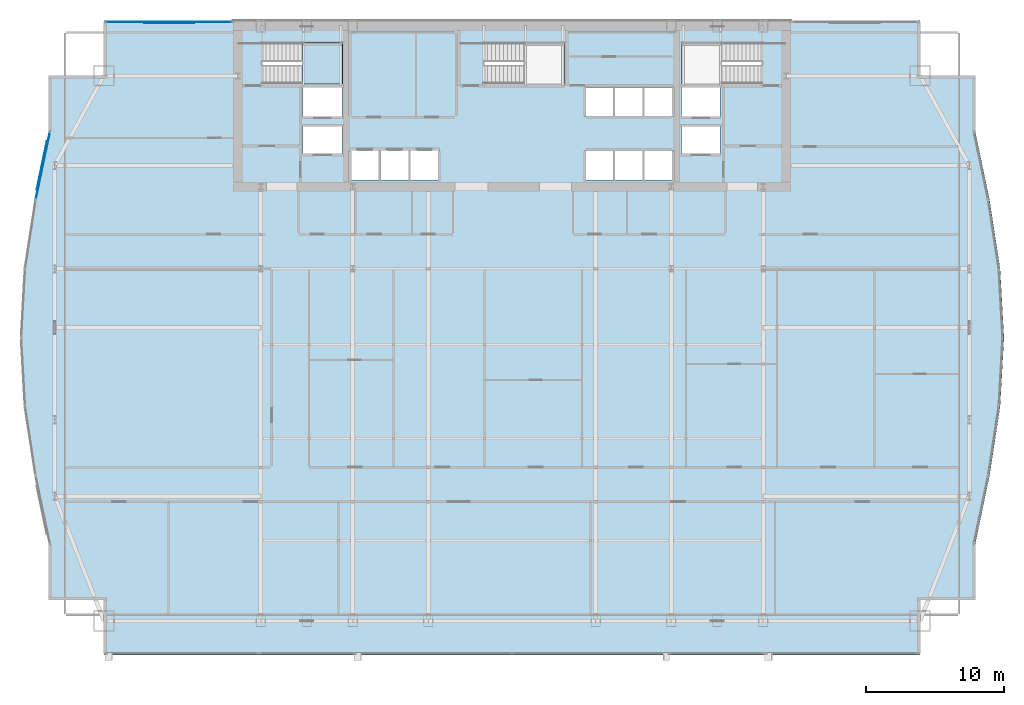
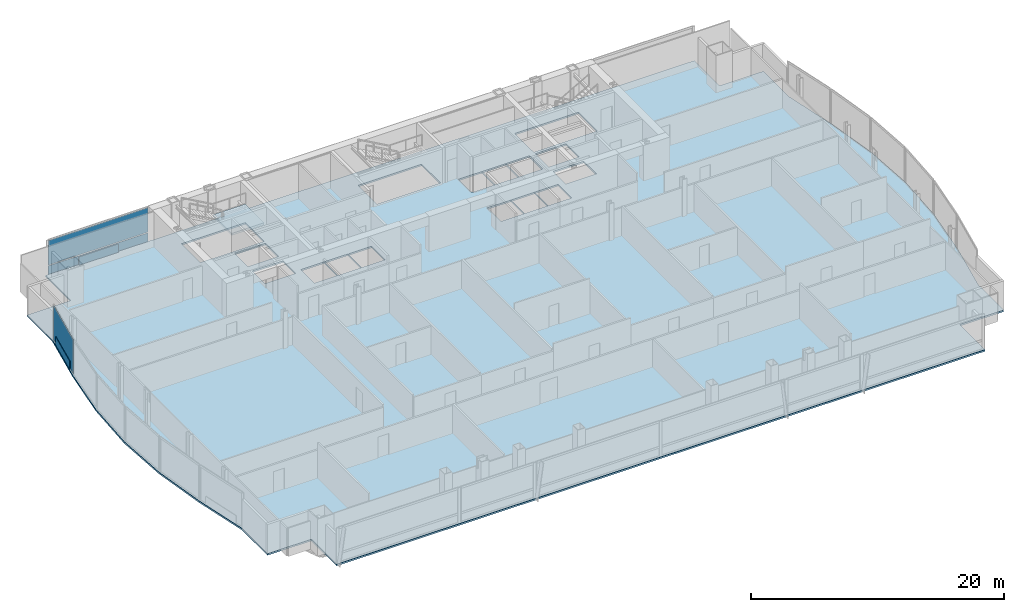
# One storey, part 26 of 33: 5 plates, 2 slabs, 3 elements without a shape of their own.
"""IFC4 building model written with IfcOpenShell, lengths in metres."""

from ifc_helpers import new_model, si_unit, direction, frame, origin, origin_2d, place, context, subcontext, project, spatial, polyline, rectangle, outline, extrude, material, layer, layer_set, type_object, element, aggregate, save


model = new_model("IFC4")

# Units and contexts
model_context = context("Model", 3, precision=1e-05, world=origin(), true_north=direction((0.0, 1.0)))
body_context = subcontext(model_context, "Body", "Model", "MODEL_VIEW")
ifc_project = project(units=[si_unit("LENGTHUNIT", "METRE"), si_unit("AREAUNIT", "SQUARE_METRE"), si_unit("VOLUMEUNIT", "CUBIC_METRE"), si_unit("PLANEANGLEUNIT", "RADIAN"), si_unit("MASSUNIT", "GRAM", prefix="KILO")], contexts=[model_context])

# Site, building, storey
site_placement = place(None, origin())
site = spatial("IfcSite", under=ifc_project, at=site_placement, CompositionType="ELEMENT")
building_placement = place(site_placement, origin())
building = spatial("IfcBuilding", under=site, at=building_placement, Name="Khoronbel Lancet Exchange", CompositionType="ELEMENT")
storey_placement = place(building_placement, frame((0.0, 0.0, 114.60009765625)))
storey = spatial("IfcBuildingStorey", under=building, at=storey_placement, Name="L27", CompositionType="ELEMENT", Elevation=114.60009765625)

# Curtain wall, plate
ifc_material_1 = material(Name="Low-E Solar Control Insulating Glass", Category="glass")
curtain_wall_type_1 = type_object("IfcCurtainWallType", Name="CW-4", PredefinedType="NOTDEFINED", material=ifc_material_1)
curtain_wall_1_placement = place(storey_placement, origin())
curtain_wall_1 = element("IfcCurtainWall", 1, at=curtain_wall_1_placement, inside=storey, type_object=curtain_wall_type_1, Name="Unitised curtain wall CW-L27-E09", PredefinedType="NOTDEFINED")
ifc_material_2 = material(Name="Bronze-Anodised Aluminium 6063-T6", Category="aluminium")
ifc_layer_1 = layer(ifc_material_2, 0.050048828125, Name="Bronze-Anodised Aluminium 6063-T6")
ifc_layer_set_1 = layer_set([ifc_layer_1], Name="Bronze-Anodised Aluminium 6063-T6")
plate_type_1 = type_object("IfcPlateType", Name="PLT-CSP1", PredefinedType="SHEET", material=ifc_layer_set_1)
plate_1_placement = place(storey_placement, frame((2.357177734375, 43.19970703125, 0.0498046875), z_axis=(0.0, 0.0, 1.0), x_axis=(0.204912806344, 0.978780231613, 0.0)))
plate_1 = element("IfcPlate", 2, at=plate_1_placement, type_object=plate_type_1, Name="Insulated bronze spandrel cassette CW-L27-E09", PredefinedType="SHEET", context=body_context, shape_type="SweptSolid", body=[
    extrude(rectangle(XDim=3.580810546875, YDim=0.050048828125, at=origin_2d()), origin(), (0.0, 0.0, 1.0), 0.800048828125),
])

# Curtain wall, plates
curtain_wall_type_2 = type_object("IfcCurtainWallType", Name="CW-2", PredefinedType="NOTDEFINED", material=ifc_material_1)
curtain_wall_2_placement = place(storey_placement, origin())
curtain_wall_2 = element("IfcCurtainWall", 3, at=curtain_wall_2_placement, inside=storey, type_object=curtain_wall_type_2, Name="Unitised curtain wall CW-L27-NWFLK", PredefinedType="NOTDEFINED")
plate_2_placement = place(storey_placement, frame((11.580078125, 53.550048828125, 0.0498046875), z_axis=(0.0, 0.0, 1.0), x_axis=(-1.0, 0.0, 0.0)))
plate_2 = element("IfcPlate", 4, at=plate_2_placement, type_object=plate_type_1, Name="Insulated bronze spandrel cassette CW-L27-NWFLK", PredefinedType="SHEET", context=body_context, shape_type="SweptSolid", body=[
    extrude(rectangle(XDim=3.60009765625, YDim=0.050048828125, at=origin_2d()), origin(), (0.0, 0.0, 1.0), 0.800048828125),
])
ifc_layer_2 = layer(ifc_material_1, 0.035888671875, Name="Low-E Solar Control Insulating Glass")
ifc_layer_set_2 = layer_set([ifc_layer_2], Name="Low-E Solar Control Insulating Glass")
plate_type_2 = type_object("IfcPlateType", Name="PLT-CWP1", PredefinedType="CURTAIN_PANEL", material=ifc_layer_set_2)
plate_3_placement = place(storey_placement, frame((11.580078125, 53.610107421875, 0.0849609375), z_axis=(0.0, 0.0, 1.0), x_axis=(-1.0, 0.0, 0.0)))
plate_3 = element("IfcPlate", 5, at=plate_3_placement, type_object=plate_type_2, Name="CW2 panel 1.1", PredefinedType="CURTAIN_PANEL", context=body_context, shape_type="SweptSolid", body=[
    extrude(rectangle(XDim=9.110107421875, YDim=0.0380859375, at=origin_2d()), origin(), (0.0, 0.0, 1.0), 0.822509765625),
])
plate_4_placement = place(storey_placement, frame((11.580078125, 53.610107421875, 0.9921875), z_axis=(0.0, 0.0, 1.0), x_axis=(-1.0, 0.0, 0.0)))
plate_4 = element("IfcPlate", 6, at=plate_4_placement, type_object=plate_type_2, Name="CW2 panel 1.2", PredefinedType="CURTAIN_PANEL", context=body_context, shape_type="SweptSolid", body=[
    extrude(rectangle(XDim=9.110107421875, YDim=0.0380859375, at=origin_2d()), origin(), (0.0, 0.0, 1.0), 2.362548828125),
])
aggregate(curtain_wall_2, [plate_3, plate_4, plate_2])

# Plate
ifc_material_3 = material(Name="Ceramic-Fritted Laminated Insulating Glass", Category="glass")
ifc_layer_3 = layer(ifc_material_3, 0.0419921875, Name="Ceramic-Fritted Laminated Insulating Glass")
ifc_layer_set_3 = layer_set([ifc_layer_3], Name="Ceramic-Fritted Laminated Insulating Glass")
plate_type_3 = type_object("IfcPlateType", Name="PLT-CWP2", PredefinedType="CURTAIN_PANEL", material=ifc_layer_set_3)
plate_5_placement = place(storey_placement, frame((2.416015625, 43.187255859375, 0.0849609375), z_axis=(0.0, 0.0, 1.0), x_axis=(0.204912806344, 0.978780231613, 0.0)))
plate_5 = element("IfcPlate", 7, at=plate_5_placement, type_object=plate_type_3, Name="CW4 panel 1.1", PredefinedType="CURTAIN_PANEL", context=body_context, shape_type="SweptSolid", body=[
    extrude(rectangle(XDim=4.96533203125, YDim=0.0380859375, at=origin_2d()), origin(), (0.0, 0.0, 1.0), 3.27001953125),
])

aggregate(curtain_wall_1, [plate_5, plate_1])

# Slab
ifc_material_4 = material(Name="Concrete C40/50", Category="concrete")
ifc_layer_4 = layer(ifc_material_4, 0.159912109375, Name="Concrete C40/50")
ifc_layer_set_4 = layer_set([ifc_layer_4], Name="Concrete C40/50")
slab_type_1 = type_object("IfcSlabType", Name="SL-FL160", PredefinedType="FLOOR", material=ifc_layer_set_4)
slab_1_placement = place(storey_placement, frame((0.0, 0.0, -0.16015625)))
element("IfcSlab", 8, at=slab_1_placement, inside=storey, type_object=slab_type_1, Name="Level L27 composite structural floor slab", PredefinedType="FLOOR", context=body_context, shape_type="SweptSolid", body=[
    extrude(outline(polyline([(6.85009765625, 7.699951171875), (66.050048828125, 7.699951171875), (66.050048828125, 11.699951171875), (70.050048828125, 11.699951171875), (70.050048828125, 15.699951171875), (71.0966796875, 20.699951171875), (71.86328125, 25.699951171875), (72.143798828125, 30.699951171875), (71.86328125, 35.699951171875), (71.0966796875, 40.699951171875), (70.050048828125, 45.699951171875), (70.050048828125, 49.699951171875), (66.050048828125, 49.699951171875), (66.050048828125, 53.699951171875), (6.85009765625, 53.699951171875), (6.85009765625, 49.699951171875), (2.85009765625, 49.699951171875), (2.85009765625, 45.699951171875), (1.80322265625, 40.699951171875), (1.036865234375, 35.699951171875), (0.75634765625, 30.699951171875), (1.036865234375, 25.699951171875), (1.80322265625, 20.699951171875), (2.85009765625, 15.699951171875), (2.85009765625, 11.699951171875), (6.85009765625, 11.699951171875), (6.85009765625, 7.699951171875)]), holes=[polyline([(18.324951171875, 49.1201171875), (24.14990234375, 49.1201171875), (24.14990234375, 52.10009765625), (18.324951171875, 52.10009765625), (18.324951171875, 49.1201171875)]), polyline([(48.75, 49.1201171875), (54.574951171875, 49.1201171875), (54.574951171875, 52.10009765625), (48.75, 52.10009765625), (48.75, 49.1201171875)]), polyline([(34.425048828125, 49.1201171875), (40.25, 49.1201171875), (40.25, 52.10009765625), (34.425048828125, 52.10009765625), (34.425048828125, 49.1201171875)]), polyline([(24.699951171875, 42.14990234375), (26.840087890625, 42.14990234375), (26.840087890625, 44.300048828125), (24.699951171875, 44.300048828125), (24.699951171875, 42.14990234375)]), polyline([(26.860107421875, 42.14990234375), (29.0, 42.14990234375), (29.0, 44.300048828125), (26.860107421875, 44.300048828125), (26.860107421875, 42.14990234375)]), polyline([(29.02001953125, 42.14990234375), (31.159912109375, 42.14990234375), (31.159912109375, 44.300048828125), (29.02001953125, 44.300048828125), (29.02001953125, 42.14990234375)]), polyline([(41.739990234375, 46.75), (43.8798828125, 46.75), (43.8798828125, 48.85009765625), (41.739990234375, 48.85009765625), (41.739990234375, 46.75)]), polyline([(43.89990234375, 46.75), (46.0400390625, 46.75), (46.0400390625, 48.85009765625), (43.89990234375, 48.85009765625), (43.89990234375, 46.75)]), polyline([(46.06005859375, 46.75), (48.199951171875, 46.75), (48.199951171875, 48.85009765625), (46.06005859375, 48.85009765625), (46.06005859375, 46.75)]), polyline([(41.739990234375, 42.14990234375), (43.8798828125, 42.14990234375), (43.8798828125, 44.300048828125), (41.739990234375, 44.300048828125), (41.739990234375, 42.14990234375)]), polyline([(43.89990234375, 42.14990234375), (46.0400390625, 42.14990234375), (46.0400390625, 44.300048828125), (43.89990234375, 44.300048828125), (43.89990234375, 42.14990234375)]), polyline([(46.06005859375, 42.14990234375), (48.199951171875, 42.14990234375), (48.199951171875, 44.300048828125), (46.06005859375, 44.300048828125), (46.06005859375, 42.14990234375)]), polyline([(21.300048828125, 46.75), (24.10009765625, 46.75), (24.10009765625, 48.85009765625), (21.300048828125, 48.85009765625), (21.300048828125, 46.75)]), polyline([(48.75, 46.75), (51.550048828125, 46.75), (51.550048828125, 48.85009765625), (48.75, 48.85009765625), (48.75, 46.75)]), polyline([(21.300048828125, 44.050048828125), (24.10009765625, 44.050048828125), (24.10009765625, 46.050048828125), (21.300048828125, 46.050048828125), (21.300048828125, 44.050048828125)]), polyline([(48.75, 44.050048828125), (51.550048828125, 44.050048828125), (51.550048828125, 46.050048828125), (48.75, 46.050048828125), (48.75, 44.050048828125)])]), origin(), (0.0, 0.0, 1.0), 0.16015625),
])

# Stair, slab
stair_type = type_object("IfcStairType", Name="STR-CORE150", PredefinedType="HALF_TURN_STAIR", material=ifc_material_4)
stair_placement = place(storey_placement, origin())
stair = element("IfcStair", 9, at=stair_placement, inside=storey, type_object=stair_type, Name="L27 Protected Exit Stair ST1", PredefinedType="HALF_TURN_STAIR")
ifc_layer_5 = layer(ifc_material_4, 0.199951171875, Name="Concrete C40/50")
ifc_layer_set_5 = layer_set([ifc_layer_5], Name="Concrete C40/50")
slab_type_2 = type_object("IfcSlabType", Name="SL-LND180", PredefinedType="LANDING", material=ifc_layer_set_5)
slab_2_placement = place(storey_placement, frame((0.0, 0.0, 1.599853515625)))
slab_2 = element("IfcSlab", 10, at=slab_2_placement, type_object=slab_type_2, Name="ST1 landing 1", PredefinedType="LANDING", context=body_context, shape_type="SweptSolid", body=[
    extrude(outline(polyline([(21.199951171875, 49.1201171875), (24.14990234375, 49.1201171875), (24.14990234375, 52.10009765625), (21.199951171875, 52.10009765625), (21.199951171875, 49.1201171875)])), origin(), (0.0, 0.0, 1.0), 0.199951171875),
])
aggregate(stair, [slab_2])

save(model, "model.ifc")
